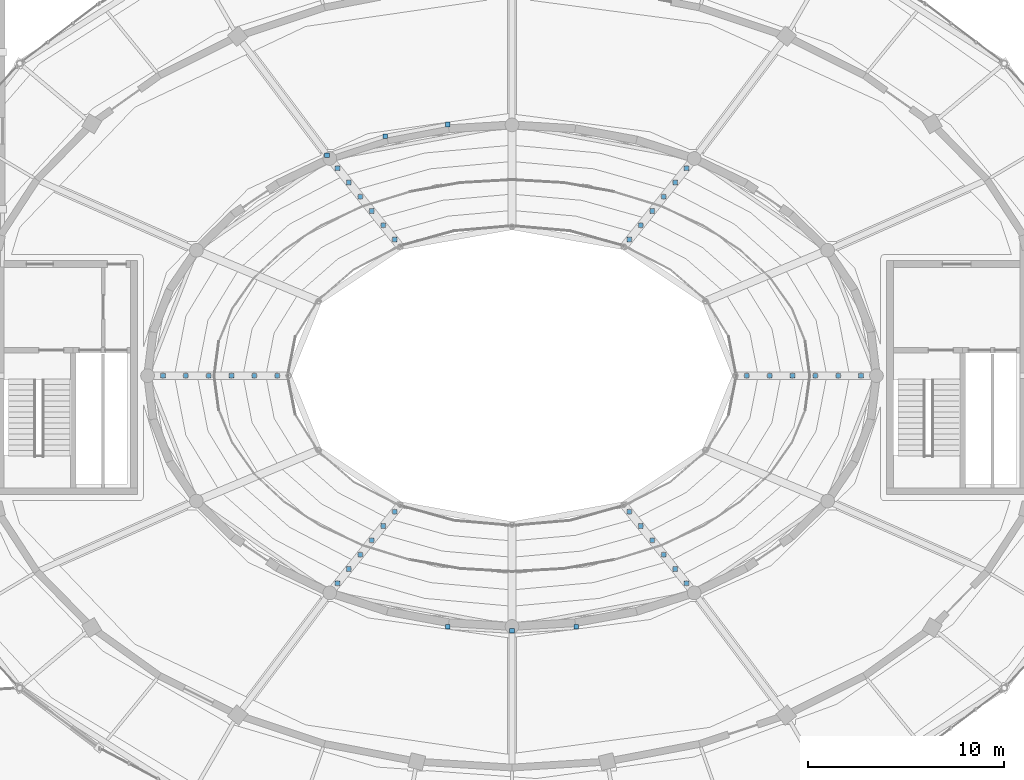
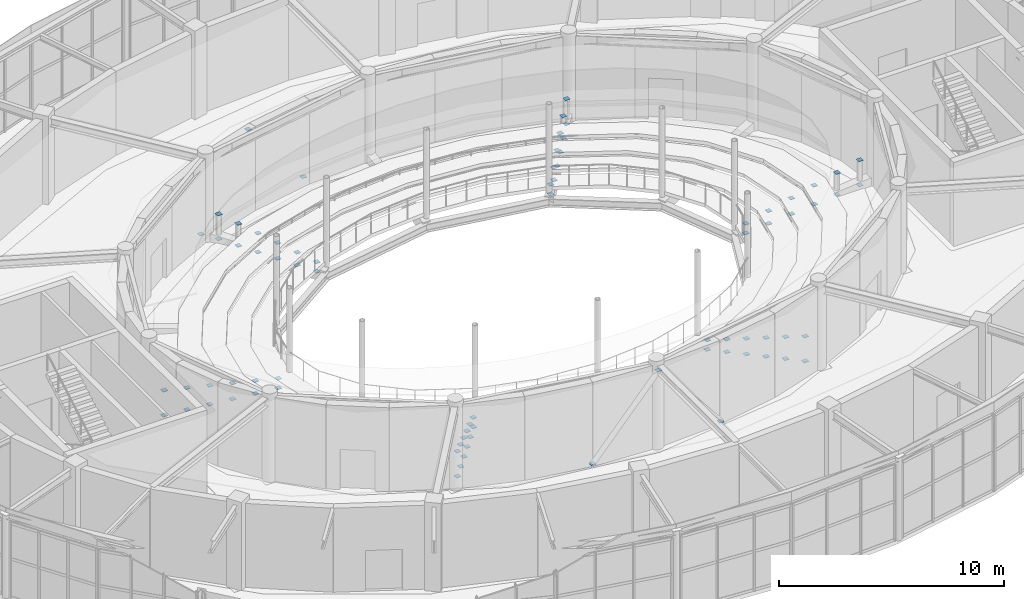
# One storey, part 97 of 108: 78 discrete accessories.
"""IFC4 building model written with IfcOpenShell, lengths in metres."""

from ifc_helpers import new_model, si_unit, direction, frame, origin, origin_2d, place, context, subcontext, project, spatial, rectangle, extrude, material, type_object, element, save


model = new_model("IFC4")

# Units and contexts
model_context = context("Model", 3, precision=1e-05, world=origin(), true_north=direction((0.0, 1.0)))
body_context = subcontext(model_context, "Body", "Model", "MODEL_VIEW")
ifc_project = project(units=[si_unit("LENGTHUNIT", "METRE"), si_unit("AREAUNIT", "SQUARE_METRE"), si_unit("VOLUMEUNIT", "CUBIC_METRE"), si_unit("PLANEANGLEUNIT", "RADIAN"), si_unit("MASSUNIT", "GRAM", prefix="KILO")], contexts=[model_context])

# Site, building, storey
site_placement = place(None, origin())
site = spatial("IfcSite", under=ifc_project, at=site_placement, CompositionType="ELEMENT")
building_placement = place(site_placement, origin())
building = spatial("IfcBuilding", under=site, at=building_placement, Name="Tarnveldt Headland Concert Hall", CompositionType="ELEMENT")
storey_placement = place(building_placement, frame((0.0, 0.0, 9.60009765625)))
storey = spatial("IfcBuildingStorey", under=building, at=storey_placement, Name="L02", CompositionType="ELEMENT", Elevation=9.60009765625)

# Discrete accessories
ifc_material = material(Name="Steel S355", Category="steel")
discrete_accessory_type = type_object("IfcDiscreteAccessoryType", Name="DA-GUS25", PredefinedType="BRACKET", material=ifc_material)
for number, where, z_axis, x_axis, name in (
    (1, (95.4833984375, 54.5, -0.4580078125), (0.0, 0.0, 1.0), (1.0, 0.0, 0.0), "Bolted raker stool shoe connection L02-1-1 lower"),
    (2, (95.4833984375, 54.5, 0.06494140625), (0.0, 0.0, 1.0), (1.0, 0.0, 0.0), "Bolted raker stool shoe connection L02-1-1 upper"),
    (3, (89.49169921875, 61.44677734375, -0.4580078125), (0.0, 0.0, 1.0), (1.0, 0.0, 0.0), "Bolted raker stool shoe connection L02-1-3 lower"),
    (4, (89.49169921875, 61.44677734375, 0.06494140625), (0.0, 0.0, 1.0), (1.0, 0.0, 0.0), "Bolted raker stool shoe connection L02-1-3 upper"),
    (5, (77.50830078125, 61.44677734375, -0.4580078125), (0.0, 0.0, 1.0), (1.0, 0.0, 0.0), "Bolted raker stool shoe connection L02-1-5 lower"),
    (6, (77.50830078125, 61.44677734375, 0.06494140625), (0.0, 0.0, 1.0), (1.0, 0.0, 0.0), "Bolted raker stool shoe connection L02-1-5 upper"),
    (7, (71.5166015625, 54.5, -0.4580078125), (0.0, 0.0, 1.0), (1.0, 0.0, 0.0), "Bolted raker stool shoe connection L02-1-7 lower"),
    (8, (71.5166015625, 54.5, 0.06494140625), (0.0, 0.0, 1.0), (1.0, 0.0, 0.0), "Bolted raker stool shoe connection L02-1-7 upper"),
    (9, (77.50830078125, 47.55322265625, -0.4580078125), (0.0, 0.0, 1.0), (1.0, 0.0, 0.0), "Bolted raker stool shoe connection L02-1-9 lower"),
    (10, (77.50830078125, 47.55322265625, 0.06494140625), (0.0, 0.0, 1.0), (1.0, 0.0, 0.0), "Bolted raker stool shoe connection L02-1-9 upper"),
    (11, (89.49169921875, 47.55322265625, -0.4580078125), (0.0, 0.0, 1.0), (1.0, 0.0, 0.0), "Bolted raker stool shoe connection L02-1-11 lower"),
    (12, (89.49169921875, 47.55322265625, 0.06494140625), (0.0, 0.0, 1.0), (1.0, 0.0, 0.0), "Bolted raker stool shoe connection L02-1-11 upper"),
    (13, (96.64990234375, 54.5, -0.34375), (0.0, 0.0, 1.0), (1.0, 0.0, 0.0), "Bolted raker stool shoe connection L02-2-1 lower"),
    (14, (96.64990234375, 54.5, 0.344970703125), (0.0, 0.0, 1.0), (1.0, 0.0, 0.0), "Bolted raker stool shoe connection L02-2-1 upper"),
    (15, (90.074951171875, 62.176513671875, -0.34375), (0.0, 0.0, 1.0), (1.0, 0.0, 0.0), "Bolted raker stool shoe connection L02-2-3 lower"),
    (16, (90.074951171875, 62.176513671875, 0.344970703125), (0.0, 0.0, 1.0), (1.0, 0.0, 0.0), "Bolted raker stool shoe connection L02-2-3 upper"),
    (17, (76.925048828125, 62.176513671875, -0.34375), (0.0, 0.0, 1.0), (1.0, 0.0, 0.0), "Bolted raker stool shoe connection L02-2-5 lower"),
    (18, (76.925048828125, 62.176513671875, 0.344970703125), (0.0, 0.0, 1.0), (1.0, 0.0, 0.0), "Bolted raker stool shoe connection L02-2-5 upper"),
    (19, (70.35009765625, 54.5, -0.34375), (0.0, 0.0, 1.0), (1.0, 0.0, 0.0), "Bolted raker stool shoe connection L02-2-7 lower"),
    (20, (70.35009765625, 54.5, 0.344970703125), (0.0, 0.0, 1.0), (1.0, 0.0, 0.0), "Bolted raker stool shoe connection L02-2-7 upper"),
    (21, (76.925048828125, 46.823486328125, -0.34375), (0.0, 0.0, 1.0), (1.0, 0.0, 0.0), "Bolted raker stool shoe connection L02-2-9 lower"),
    (22, (76.925048828125, 46.823486328125, 0.344970703125), (0.0, 0.0, 1.0), (1.0, 0.0, 0.0), "Bolted raker stool shoe connection L02-2-9 upper"),
    (23, (90.074951171875, 46.823486328125, -0.34375), (0.0, 0.0, 1.0), (1.0, 0.0, 0.0), "Bolted raker stool shoe connection L02-2-11 lower"),
    (24, (90.074951171875, 46.823486328125, 0.344970703125), (0.0, 0.0, 1.0), (1.0, 0.0, 0.0), "Bolted raker stool shoe connection L02-2-11 upper"),
    (25, (97.816650390625, 54.5, -0.2294921875), (0.0, 0.0, 1.0), (1.0, 0.0, 0.0), "Bolted raker stool shoe connection L02-3-1 lower"),
    (26, (97.816650390625, 54.5, 0.625), (0.0, 0.0, 1.0), (1.0, 0.0, 0.0), "Bolted raker stool shoe connection L02-3-1 upper"),
    (27, (90.658203125, 62.906005859375, -0.2294921875), (0.0, 0.0, 1.0), (1.0, 0.0, 0.0), "Bolted raker stool shoe connection L02-3-3 lower"),
    (28, (90.658203125, 62.906005859375, 0.625), (0.0, 0.0, 1.0), (1.0, 0.0, 0.0), "Bolted raker stool shoe connection L02-3-3 upper"),
    (29, (76.341796875, 62.906005859375, -0.2294921875), (0.0, 0.0, 1.0), (1.0, 0.0, 0.0), "Bolted raker stool shoe connection L02-3-5 lower"),
    (30, (76.341796875, 62.906005859375, 0.625), (0.0, 0.0, 1.0), (1.0, 0.0, 0.0), "Bolted raker stool shoe connection L02-3-5 upper"),
    (31, (69.183349609375, 54.5, -0.2294921875), (0.0, 0.0, 1.0), (1.0, 0.0, 0.0), "Bolted raker stool shoe connection L02-3-7 lower"),
    (32, (69.183349609375, 54.5, 0.625), (0.0, 0.0, 1.0), (1.0, 0.0, 0.0), "Bolted raker stool shoe connection L02-3-7 upper"),
    (33, (76.341796875, 46.093994140625, -0.2294921875), (0.0, 0.0, 1.0), (1.0, 0.0, 0.0), "Bolted raker stool shoe connection L02-3-9 lower"),
    (34, (76.341796875, 46.093994140625, 0.625), (0.0, 0.0, 1.0), (1.0, 0.0, 0.0), "Bolted raker stool shoe connection L02-3-9 upper"),
    (35, (90.658203125, 46.093994140625, -0.2294921875), (0.0, 0.0, 1.0), (1.0, 0.0, 0.0), "Bolted raker stool shoe connection L02-3-11 lower"),
    (36, (90.658203125, 46.093994140625, 0.625), (0.0, 0.0, 1.0), (1.0, 0.0, 0.0), "Bolted raker stool shoe connection L02-3-11 upper"),
    (37, (98.9833984375, 54.5, -0.115234375), (0.0, 0.0, 1.0), (1.0, 0.0, 0.0), "Bolted raker stool shoe connection L02-4-1 lower"),
    (38, (98.9833984375, 54.5, 0.905029296875), (0.0, 0.0, 1.0), (1.0, 0.0, 0.0), "Bolted raker stool shoe connection L02-4-1 upper"),
    (39, (91.24169921875, 63.6357421875, -0.115234375), (0.0, 0.0, 1.0), (1.0, 0.0, 0.0), "Bolted raker stool shoe connection L02-4-3 lower"),
    (40, (91.24169921875, 63.6357421875, 0.905029296875), (0.0, 0.0, 1.0), (1.0, 0.0, 0.0), "Bolted raker stool shoe connection L02-4-3 upper"),
    (41, (75.75830078125, 63.6357421875, -0.115234375), (0.0, 0.0, 1.0), (1.0, 0.0, 0.0), "Bolted raker stool shoe connection L02-4-5 lower"),
    (42, (75.75830078125, 63.6357421875, 0.905029296875), (0.0, 0.0, 1.0), (1.0, 0.0, 0.0), "Bolted raker stool shoe connection L02-4-5 upper"),
    (43, (68.0166015625, 54.5, -0.115234375), (0.0, 0.0, 1.0), (1.0, 0.0, 0.0), "Bolted raker stool shoe connection L02-4-7 lower"),
    (44, (68.0166015625, 54.5, 0.905029296875), (0.0, 0.0, 1.0), (1.0, 0.0, 0.0), "Bolted raker stool shoe connection L02-4-7 upper"),
    (45, (75.75830078125, 45.3642578125, -0.115234375), (0.0, 0.0, 1.0), (1.0, 0.0, 0.0), "Bolted raker stool shoe connection L02-4-9 lower"),
    (46, (75.75830078125, 45.3642578125, 0.905029296875), (0.0, 0.0, 1.0), (1.0, 0.0, 0.0), "Bolted raker stool shoe connection L02-4-9 upper"),
    (47, (91.24169921875, 45.3642578125, -0.115234375), (0.0, 0.0, 1.0), (1.0, 0.0, 0.0), "Bolted raker stool shoe connection L02-4-11 lower"),
    (48, (91.24169921875, 45.3642578125, 0.905029296875), (0.0, 0.0, 1.0), (1.0, 0.0, 0.0), "Bolted raker stool shoe connection L02-4-11 upper"),
    (49, (100.14990234375, 54.5, -0.0009765625), (0.0, 0.0, 1.0), (1.0, 0.0, 0.0), "Bolted raker stool shoe connection L02-5-1 lower"),
    (50, (100.14990234375, 54.5, 1.18505859375), (0.0, 0.0, 1.0), (1.0, 0.0, 0.0), "Bolted raker stool shoe connection L02-5-1 upper"),
    (51, (91.824951171875, 64.365478515625, -0.0009765625), (0.0, 0.0, 1.0), (1.0, 0.0, 0.0), "Bolted raker stool shoe connection L02-5-3 lower"),
    (52, (91.824951171875, 64.365478515625, 1.18505859375), (0.0, 0.0, 1.0), (1.0, 0.0, 0.0), "Bolted raker stool shoe connection L02-5-3 upper"),
    (53, (75.175048828125, 64.365478515625, -0.0009765625), (0.0, 0.0, 1.0), (1.0, 0.0, 0.0), "Bolted raker stool shoe connection L02-5-5 lower"),
    (54, (75.175048828125, 64.365478515625, 1.18505859375), (0.0, 0.0, 1.0), (1.0, 0.0, 0.0), "Bolted raker stool shoe connection L02-5-5 upper"),
    (55, (66.85009765625, 54.5, -0.0009765625), (0.0, 0.0, 1.0), (1.0, 0.0, 0.0), "Bolted raker stool shoe connection L02-5-7 lower"),
    (56, (66.85009765625, 54.5, 1.18505859375), (0.0, 0.0, 1.0), (1.0, 0.0, 0.0), "Bolted raker stool shoe connection L02-5-7 upper"),
    (57, (75.175048828125, 44.634521484375, -0.0009765625), (0.0, 0.0, 1.0), (1.0, 0.0, 0.0), "Bolted raker stool shoe connection L02-5-9 lower"),
    (58, (75.175048828125, 44.634521484375, 1.18505859375), (0.0, 0.0, 1.0), (1.0, 0.0, 0.0), "Bolted raker stool shoe connection L02-5-9 upper"),
    (59, (91.824951171875, 44.634521484375, -0.0009765625), (0.0, 0.0, 1.0), (1.0, 0.0, 0.0), "Bolted raker stool shoe connection L02-5-11 lower"),
    (60, (91.824951171875, 44.634521484375, 1.18505859375), (0.0, 0.0, 1.0), (1.0, 0.0, 0.0), "Bolted raker stool shoe connection L02-5-11 upper"),
    (61, (101.316650390625, 54.5, 0.11328125), (0.0, 0.0, 1.0), (1.0, 0.0, 0.0), "Bolted raker stool shoe connection L02-6-1 lower"),
    (62, (101.316650390625, 54.5, 1.46484375), (0.0, 0.0, 1.0), (1.0, 0.0, 0.0), "Bolted raker stool shoe connection L02-6-1 upper"),
    (63, (92.408203125, 65.09521484375, 0.11328125), (0.0, 0.0, 1.0), (1.0, 0.0, 0.0), "Bolted raker stool shoe connection L02-6-3 lower"),
    (64, (92.408203125, 65.09521484375, 1.46484375), (0.0, 0.0, 1.0), (1.0, 0.0, 0.0), "Bolted raker stool shoe connection L02-6-3 upper"),
    (65, (74.591796875, 65.09521484375, 0.11328125), (0.0, 0.0, 1.0), (1.0, 0.0, 0.0), "Bolted raker stool shoe connection L02-6-5 lower"),
    (66, (74.591796875, 65.09521484375, 1.46484375), (0.0, 0.0, 1.0), (1.0, 0.0, 0.0), "Bolted raker stool shoe connection L02-6-5 upper"),
    (67, (65.683349609375, 54.5, 0.11328125), (0.0, 0.0, 1.0), (1.0, 0.0, 0.0), "Bolted raker stool shoe connection L02-6-7 lower"),
    (68, (65.683349609375, 54.5, 1.46484375), (0.0, 0.0, 1.0), (1.0, 0.0, 0.0), "Bolted raker stool shoe connection L02-6-7 upper"),
    (69, (74.591796875, 43.90478515625, 0.11328125), (0.0, 0.0, 1.0), (1.0, 0.0, 0.0), "Bolted raker stool shoe connection L02-6-9 lower"),
    (70, (74.591796875, 43.90478515625, 1.46484375), (0.0, 0.0, 1.0), (1.0, 0.0, 0.0), "Bolted raker stool shoe connection L02-6-9 upper"),
    (71, (92.408203125, 43.90478515625, 0.11328125), (0.0, 0.0, 1.0), (1.0, 0.0, 0.0), "Bolted raker stool shoe connection L02-6-11 lower"),
    (72, (92.408203125, 43.90478515625, 1.46484375), (0.0, 0.0, 1.0), (1.0, 0.0, 0.0), "Bolted raker stool shoe connection L02-6-11 upper"),
    (73, (80.215576171875, 67.318603515625, 0.16748046875), (0.0, 0.0, 1.0), (1.0, 0.0, 0.0), "Bolted brace gusset connection 30"),
    (74, (74.05859375, 65.753662109375, 0.16748046875), (0.0, 0.0, 1.0), (1.0, 0.0, 0.0), "Bolted brace gusset connection 31"),
    (75, (77.035400390625, 66.72265625, 4.217529296875), (0.0, 0.0, 1.0), (1.0, 0.0, 0.0), "Bolted brace gusset connection 32"),
    (76, (80.215576171875, 41.681396484375, 0.16748046875), (0.0, 0.0, 1.0), (1.0, 0.0, 0.0), "Bolted brace gusset connection 33"),
    (77, (86.784423828125, 41.681396484375, 0.16748046875), (0.0, 0.0, 1.0), (1.0, 0.0, 0.0), "Bolted brace gusset connection 34"),
    (78, (83.5, 41.47998046875, 4.217529296875), (0.0, 0.0, 1.0), (1.0, 0.0, 0.0), "Bolted brace gusset connection 35"),
):
    element("IfcDiscreteAccessory", number, at=place(storey_placement, frame(where, z_axis=z_axis, x_axis=x_axis)), inside=storey, type_object=discrete_accessory_type, Name=name, PredefinedType="BRACKET", context=body_context, shape_type="SweptSolid", body=[
        extrude(rectangle(XDim=0.239990234375, YDim=0.239990234375, at=origin_2d()), origin(), (0.0, 0.0, 1.0), 0.02490234375),
    ])

save(model, "model.ifc")
